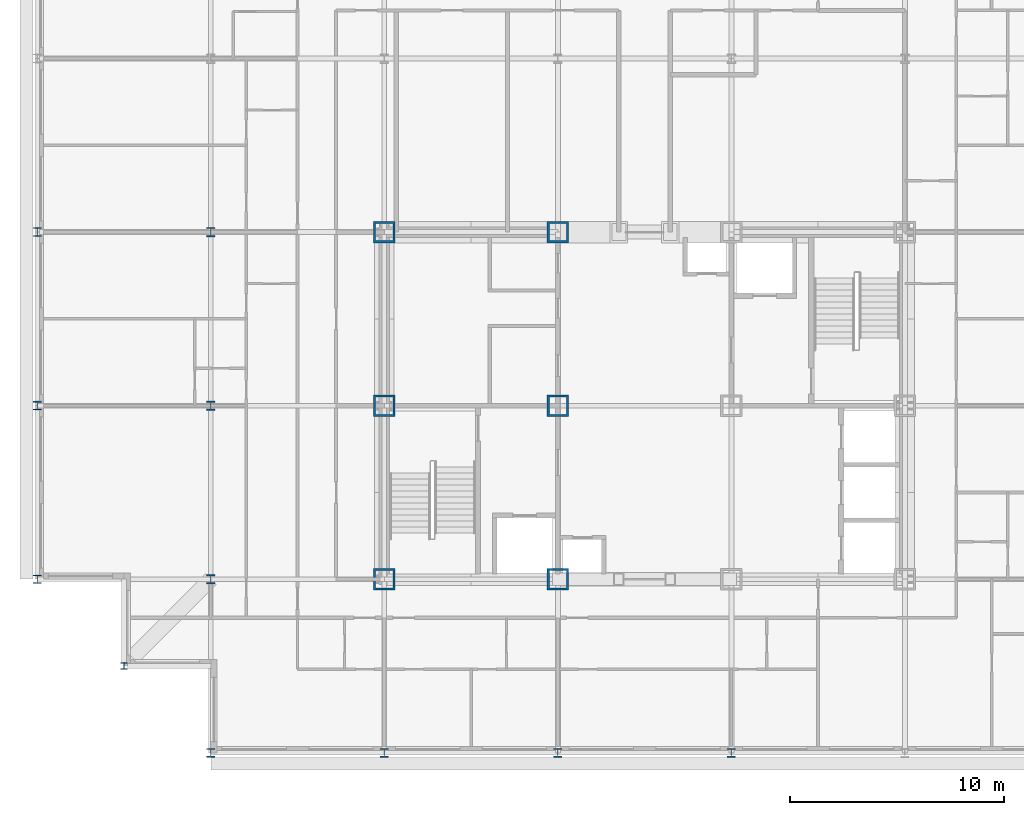
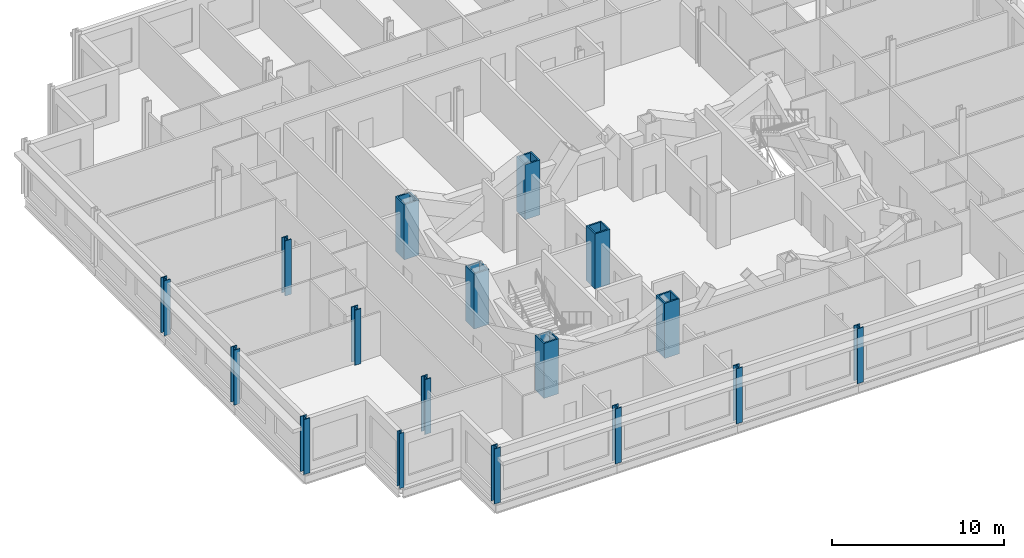
# One storey, part 1 of 15: 17 columns.
"""IFC4 building model written with IfcOpenShell, lengths in metres."""

from ifc_helpers import new_model, si_unit, direction, frame, origin, origin_2d, place, context, subcontext, project, spatial, hollow_rectangle, i_section, extrude, material, material_profile, profile_set, type_object, element, save


model = new_model("IFC4")

# Units and contexts
model_context = context("Model", 3, precision=1e-05, world=origin(), true_north=direction((0.0, 1.0)))
body_context = subcontext(model_context, "Body", "Model", "MODEL_VIEW")
ifc_project = project(units=[si_unit("LENGTHUNIT", "METRE"), si_unit("AREAUNIT", "SQUARE_METRE"), si_unit("VOLUMEUNIT", "CUBIC_METRE"), si_unit("PLANEANGLEUNIT", "RADIAN"), si_unit("MASSUNIT", "GRAM", prefix="KILO")], contexts=[model_context])

# Site, building, storey
site_placement = place(None, origin())
site = spatial("IfcSite", under=ifc_project, at=site_placement, CompositionType="ELEMENT")
building_placement = place(site_placement, origin())
building = spatial("IfcBuilding", under=site, at=building_placement, Name="Kopane Lantern Tower", CompositionType="ELEMENT")
storey_placement = place(building_placement, frame((0.0, 0.0, 269.699951171875)))
storey = spatial("IfcBuildingStorey", under=building, at=storey_placement, Name="L69", CompositionType="ELEMENT", Elevation=269.699951171875)

# Columns
ifc_material_1 = material(Name="Steel S355JR", Category="steel")
ifc_material_profile_1 = material_profile(ifc_material_1, hollow_rectangle(XDim=1.0, YDim=1.0, WallThickness=0.10009765625, at=origin_2d()), Name="BOX 1000x1000x100")
ifc_profile_set_1 = profile_set([ifc_material_profile_1], Name="Steel S355JR")
column_type_1 = type_object("IfcColumnType", Name="COLUMN BOX 1000x1000x100", PredefinedType="COLUMN", material=ifc_profile_set_1)
for number, where, z_axis, x_axis, name in (
    (1, (16.199951171875, 24.300048828125, 0.0), (0.0, 0.0, 1.0), (1.0, 0.0, 0.0), "Column 4/E L69"),
    (2, (16.199951171875, 32.39990234375, 0.0), (0.0, 0.0, 1.0), (1.0, 0.0, 0.0), "Column 4/F L69"),
    (3, (16.199951171875, 40.5, 0.0), (0.0, 0.0, 1.0), (1.0, 0.0, 0.0), "Column 4/G L69"),
    (4, (24.300048828125, 24.300048828125, 0.0), (0.0, 0.0, 1.0), (1.0, 0.0, 0.0), "Column 5/E L69"),
    (5, (24.300048828125, 32.39990234375, 0.0), (0.0, 0.0, 1.0), (1.0, 0.0, 0.0), "Column 5/F L69"),
    (6, (24.300048828125, 40.5, 0.0), (0.0, 0.0, 1.0), (1.0, 0.0, 0.0), "Column 5/G L69"),
):
    element("IfcColumn", number, at=place(storey_placement, frame(where, z_axis=z_axis, x_axis=x_axis)), inside=storey, type_object=column_type_1, Name=name, PredefinedType="COLUMN", context=body_context, shape_type="SweptSolid", body=[
        extrude(hollow_rectangle(XDim=1.0, YDim=1.0, WallThickness=0.10009765625, at=origin_2d()), origin(), (0.0, 0.0, 1.0), 3.900146484375),
    ])
ifc_material_2 = material(Name="Steel S355JR", Category="steel")
ifc_material_profile_2 = material_profile(ifc_material_2, i_section(OverallWidth=0.307373046875, OverallDepth=0.314453125, WebThickness=0.011962890625, FlangeThickness=0.018798828125, FilletRadius=0.01513671875, at=origin_2d()), Name="UC 305x305x118")
ifc_profile_set_2 = profile_set([ifc_material_profile_2], Name="Steel S355JR")
column_type_2 = type_object("IfcColumnType", Name="COLUMN UC 305x305x118", PredefinedType="COLUMN", material=ifc_profile_set_2)
column_placement = place(storey_placement, frame((4.050048828125, 20.25, 0.0), z_axis=(0.0, 0.0, 1.0), x_axis=(1.0, 0.0, 0.0)))
element("IfcColumn", 7, at=column_placement, inside=storey, type_object=column_type_2, Name="Column 4.05/20.25 L69", PredefinedType="COLUMN", context=body_context, shape_type="SweptSolid", body=[
    extrude(i_section(OverallWidth=0.307373046875, OverallDepth=0.314453125, WebThickness=0.011962890625, FlangeThickness=0.018798828125, FilletRadius=0.01513671875, at=origin_2d()), origin(), (0.0, 0.0, 1.0), 3.900146484375),
])
ifc_material_3 = material(Name="Steel S355JR", Category="steel")
ifc_material_profile_3 = material_profile(ifc_material_3, i_section(OverallWidth=0.406982421875, OverallDepth=0.4189453125, WebThickness=0.030517578125, FlangeThickness=0.04931640625, FilletRadius=0.01513671875, at=origin_2d()), Name="UC 356x406x393")
ifc_profile_set_3 = profile_set([ifc_material_profile_3], Name="Steel S355JR")
column_type_3 = type_object("IfcColumnType", Name="COLUMN UC 356x406x393", PredefinedType="COLUMN", material=ifc_profile_set_3)
for number, where, z_axis, x_axis, name in (
    (8, (0.0, 24.300048828125, 0.0), (0.0, 0.0, 1.0), (1.0, 0.0, 0.0), "Column 2/E L69"),
    (9, (0.0, 32.39990234375, 0.0), (0.0, 0.0, 1.0), (1.0, 0.0, 0.0), "Column 2/F L69"),
    (10, (0.0, 40.5, 0.0), (0.0, 0.0, 1.0), (1.0, 0.0, 0.0), "Column 2/G L69"),
    (11, (8.10009765625, 16.199951171875, 0.0), (0.0, 0.0, 1.0), (1.0, 0.0, 0.0), "Column 3/D L69"),
    (12, (16.199951171875, 16.199951171875, 0.0), (0.0, 0.0, 1.0), (1.0, 0.0, 0.0), "Column 4/D L69"),
    (13, (24.300048828125, 16.199951171875, 0.0), (0.0, 0.0, 1.0), (1.0, 0.0, 0.0), "Column 5/D L69"),
    (14, (32.39990234375, 16.199951171875, 0.0), (0.0, 0.0, 1.0), (1.0, 0.0, 0.0), "Column 6/D L69"),
):
    element("IfcColumn", number, at=place(storey_placement, frame(where, z_axis=z_axis, x_axis=x_axis)), inside=storey, type_object=column_type_3, Name=name, PredefinedType="COLUMN", context=body_context, shape_type="SweptSolid", body=[
        extrude(i_section(OverallWidth=0.406982421875, OverallDepth=0.4189453125, WebThickness=0.030517578125, FlangeThickness=0.04931640625, FilletRadius=0.01513671875, at=origin_2d()), origin(), (0.0, 0.0, 1.0), 3.900146484375),
    ])
ifc_material_4 = material(Name="Steel S355JR", Category="steel")
ifc_material_profile_4 = material_profile(ifc_material_4, i_section(OverallWidth=0.412109375, OverallDepth=0.4365234375, WebThickness=0.035888671875, FlangeThickness=0.05810546875, FilletRadius=0.01513671875, at=origin_2d()), Name="UC 356x406x467")
ifc_profile_set_4 = profile_set([ifc_material_profile_4], Name="Steel S355JR")
column_type_4 = type_object("IfcColumnType", Name="COLUMN UC 356x406x467", PredefinedType="COLUMN", material=ifc_profile_set_4)
for number, where, z_axis, x_axis, name in (
    (15, (8.10009765625, 24.300048828125, 0.0), (0.0, 0.0, 1.0), (1.0, 0.0, 0.0), "Column 3/E L69"),
    (16, (8.10009765625, 32.39990234375, 0.0), (0.0, 0.0, 1.0), (1.0, 0.0, 0.0), "Column 3/F L69"),
    (17, (8.10009765625, 40.5, 0.0), (0.0, 0.0, 1.0), (1.0, 0.0, 0.0), "Column 3/G L69"),
):
    element("IfcColumn", number, at=place(storey_placement, frame(where, z_axis=z_axis, x_axis=x_axis)), inside=storey, type_object=column_type_4, Name=name, PredefinedType="COLUMN", context=body_context, shape_type="SweptSolid", body=[
        extrude(i_section(OverallWidth=0.412109375, OverallDepth=0.4365234375, WebThickness=0.035888671875, FlangeThickness=0.05810546875, FilletRadius=0.01513671875, at=origin_2d()), origin(), (0.0, 0.0, 1.0), 3.900146484375),
    ])

save(model, "model.ifc")
